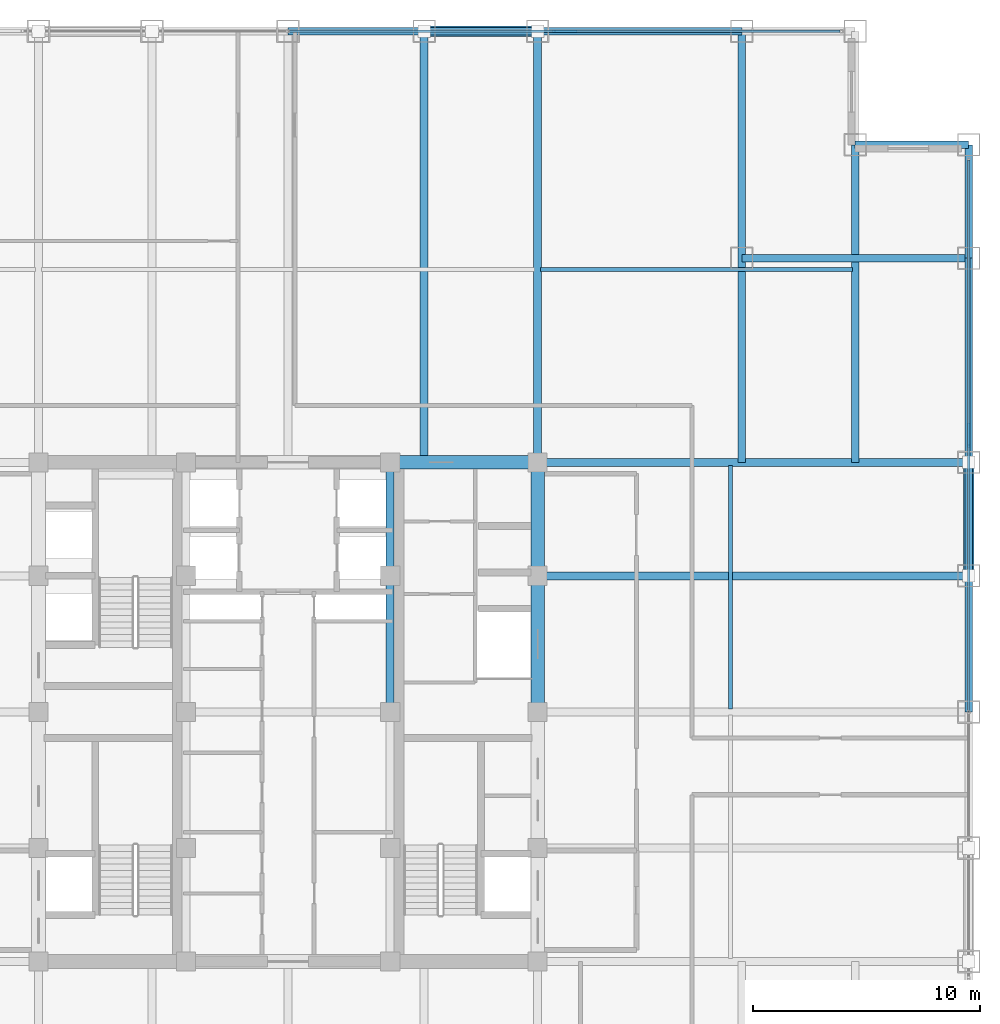
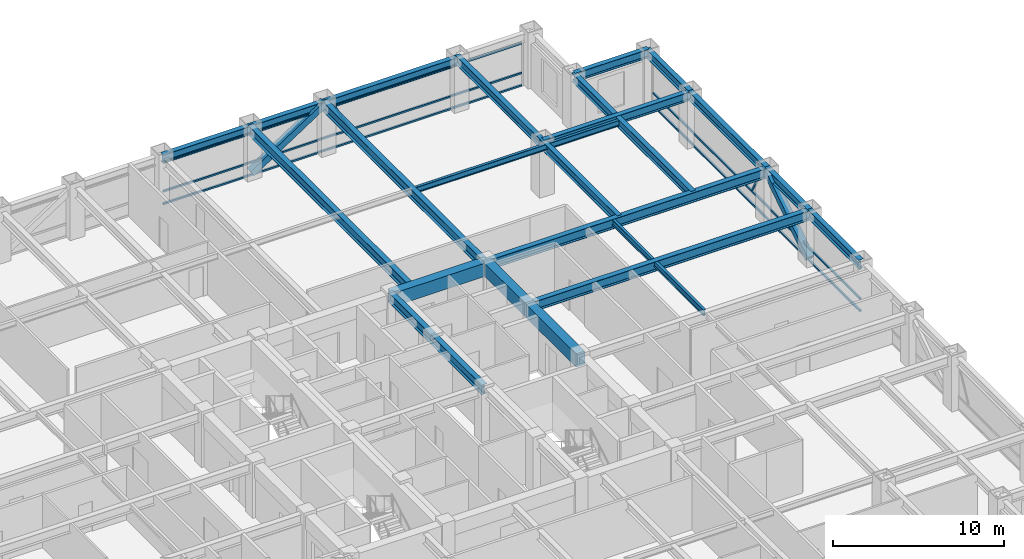
# One storey, part 17 of 24: 22 beams, 10 members, 2 elements without a shape of their own.
"""IFC4 building model written with IfcOpenShell, lengths in metres."""

import ifcopenshell
import ifcopenshell.guid

model = None  # the IFC model being written
_history = None  # IfcOwnerHistory: only IFC2X3 demands one
_inside = {}  # id of a spatial element -> (the spatial element, [elements in it])
_under = {}  # id of a project, library or spatial element -> (it, [spatial elements below it])
_declared = {}  # id of a project -> (the project, [libraries it declares])
_typed = {}  # id of a type object -> (the type object, [elements of that type])
_made_of = {}  # id of a material, layer set ... -> (it, [elements and type objects made of it])


def new_model(schema):
    """Start an empty IFC model of exactly this schema.

    Asked for "IFC4X3", IfcOpenShell would pick the latest addendum, in which some entities
    have other attributes; the version numbers below select the first issue.
    IFC2X3 requires an IfcOwnerHistory on every rooted entity: one is made here for all.
    """
    global model, _history
    if schema == "IFC4X3":
        model = ifcopenshell.file(schema_version=(4, 3, 0, 0))
    else:
        model = ifcopenshell.file(schema=schema)
    _inside.clear()
    _under.clear()
    _declared.clear()
    _typed.clear()
    _made_of.clear()
    _history = None
    if model.schema == "IFC2X3":
        org = make("IfcOrganization", Name="unknown")
        user = make(
            "IfcPersonAndOrganization",
            ThePerson=make("IfcPerson", FamilyName="unknown"),
            TheOrganization=org,
        )
        app = make(
            "IfcApplication",
            ApplicationDeveloper=org,
            Version="unknown",
            ApplicationFullName="unknown",
            ApplicationIdentifier="unknown",
        )
        _history = make(
            "IfcOwnerHistory",
            OwningUser=user,
            OwningApplication=app,
            ChangeAction="ADDED",
            CreationDate=0,
        )
    return model


def make(cls, **values):
    """One entity of the class cls with the attributes given. An attribute that is None is left unset."""
    return model.create_entity(
        cls, **{name: value for name, value in values.items() if value is not None}
    )


def rooted(cls, **values):
    """An entity with a GlobalId (a new one), such as an element, a storey or a relation."""
    return make(cls, GlobalId=ifcopenshell.guid.new(), OwnerHistory=_history, **values)


def si_unit(unit_type, name, prefix=None):
    """IfcSIUnit, for example si_unit("LENGTHUNIT", "METRE", prefix="MILLI")."""
    return make("IfcSIUnit", UnitType=unit_type, Prefix=prefix, Name=name)


def assignment(units):
    """IfcUnitAssignment: the units of a project."""
    return None if units is None else make("IfcUnitAssignment", Units=units)


def point(xyz):
    """IfcCartesianPoint."""
    return None if xyz is None else make("IfcCartesianPoint", Coordinates=xyz)


def direction(xyz):
    """IfcDirection."""
    return None if xyz is None else make("IfcDirection", DirectionRatios=xyz)


def frame(location, z_axis=None, x_axis=None):
    """IfcAxis2Placement3D, a coordinate frame: its origin and axes. An axis left out is left unset."""
    return make(
        "IfcAxis2Placement3D",
        Location=point(location),
        Axis=direction(z_axis),
        RefDirection=direction(x_axis),
    )


def frame_2d(location, x_axis=None):
    """IfcAxis2Placement2D, a coordinate frame in the plane: its origin and x axis."""
    return make(
        "IfcAxis2Placement2D", Location=point(location), RefDirection=direction(x_axis)
    )


def origin():
    """The frame at (0, 0, 0) with its axes left unset."""
    return frame((0.0, 0.0, 0.0))


def origin_2d():
    """The frame at (0, 0) in the plane with its x axis left unset."""
    return frame_2d((0.0, 0.0))


def place(relative_to, where):
    """IfcLocalPlacement: puts the frame where relative to a parent placement (None: the world)."""
    return make(
        "IfcLocalPlacement", PlacementRelTo=relative_to, RelativePlacement=where
    )


def context(
    kind, dimensions, precision=None, world=None, true_north=None, identifier=None
):
    """IfcGeometricRepresentationContext, for example the 3D "Model" context."""
    return make(
        "IfcGeometricRepresentationContext",
        ContextIdentifier=identifier,
        ContextType=kind,
        CoordinateSpaceDimension=dimensions,
        Precision=precision,
        WorldCoordinateSystem=world,
        TrueNorth=true_north,
    )


def subcontext(parent, identifier, kind, view, scale=None):
    """IfcGeometricRepresentationSubContext, for example "Body" below "Model"."""
    return make(
        "IfcGeometricRepresentationSubContext",
        ContextIdentifier=identifier,
        ContextType=kind,
        ParentContext=parent,
        TargetScale=scale,
        TargetView=view,
    )


def project(units=None, contexts=None):
    """IfcProject with its units and contexts."""
    return rooted(
        "IfcProject",
        Name="project",
        RepresentationContexts=contexts,
        UnitsInContext=assignment(units),
    )


def spatial(cls, under=None, at=None, **own):
    """A site, building, storey or space (cls), placed at a placement, below another one or the project."""
    s = rooted(cls, ObjectPlacement=at, **own)
    if under is not None:
        _under.setdefault(under.id(), (under, []))[1].append(s)
    return s


def profile(cls, at=None, kind="AREA", **sizes):
    """A parametric profile (cls). Its sizes go by their IFC names, for example OverallWidth=200.0."""
    return make(cls, ProfileType=kind, Position=at, **sizes)


def rectangle(**sizes):
    """IfcRectangleProfileDef."""
    return profile("IfcRectangleProfileDef", **sizes)


def hollow_rectangle(**sizes):
    """IfcRectangleHollowProfileDef."""
    return profile("IfcRectangleHollowProfileDef", **sizes)


def i_section(**sizes):
    """IfcIShapeProfileDef."""
    return profile("IfcIShapeProfileDef", **sizes)


def extrude(swept, where, along, depth):
    """IfcExtrudedAreaSolid: the profile swept, set in the frame where, extruded along a direction by depth."""
    return make(
        "IfcExtrudedAreaSolid",
        SweptArea=swept,
        Position=where,
        ExtrudedDirection=direction(along),
        Depth=depth,
    )


def shape(context_of_items, identifier, shape_type, items):
    """IfcShapeRepresentation: the items that make up one representation, for example the "Body"."""
    return make(
        "IfcShapeRepresentation",
        ContextOfItems=context_of_items,
        RepresentationIdentifier=identifier,
        RepresentationType=shape_type,
        Items=items,
    )


def source(mapping_origin, context_of_items, identifier, shape_type, items):
    """IfcRepresentationMap: a shape defined once, which mapped items show again and again."""
    return make(
        "IfcRepresentationMap",
        MappingOrigin=mapping_origin,
        MappedRepresentation=shape(context_of_items, identifier, shape_type, items),
    )


def transform(
    local_origin,
    x_axis=None,
    y_axis=None,
    z_axis=None,
    scale=None,
    scale2=None,
    scale3=None,
    uniform=True,
):
    """IfcCartesianTransformationOperator3D, or its non-uniform kind. x_axis, y_axis, z_axis: its Axis1, 2, 3."""
    if uniform:
        return make(
            "IfcCartesianTransformationOperator3D",
            Axis1=direction(x_axis),
            Axis2=direction(y_axis),
            LocalOrigin=point(local_origin),
            Scale=scale,
            Axis3=direction(z_axis),
        )
    return make(
        "IfcCartesianTransformationOperator3DnonUniform",
        Axis1=direction(x_axis),
        Axis2=direction(y_axis),
        LocalOrigin=point(local_origin),
        Scale=scale,
        Axis3=direction(z_axis),
        Scale2=scale2,
        Scale3=scale3,
    )


def mapped(mapping_source, mapping_target):
    """IfcMappedItem: shows the shape of a source again, moved by a transform."""
    return make(
        "IfcMappedItem", MappingSource=mapping_source, MappingTarget=mapping_target
    )


def material(Name=None, Category=None):
    """IfcMaterial."""
    return make("IfcMaterial", Name=Name, Category=Category)


def material_profile(
    of_material, cross_section, Name=None, Category=None, Priority=None
):
    """IfcMaterialProfile: a cross section and its material."""
    return make(
        "IfcMaterialProfile",
        Name=Name,
        Material=of_material,
        Profile=cross_section,
        Priority=Priority,
        Category=Category,
    )


def profile_set(profiles, Name=None, composite=None):
    """IfcMaterialProfileSet."""
    return make(
        "IfcMaterialProfileSet",
        Name=Name,
        MaterialProfiles=profiles,
        CompositeProfile=composite,
    )


def made_of(thing, what):
    """Note that an element or type object is made of a material, layer set ...; save() writes the relation."""
    if what is not None:
        _made_of.setdefault(what.id(), (what, []))[1].append(thing)
    return thing


def type_object(cls, material=None, **own):
    """A type object (cls), such as IfcWallType, which elements share."""
    return made_of(rooted(cls, **own), material)


def element(
    cls,
    number,
    at=None,
    inside=None,
    cuts=None,
    type_object=None,
    material=None,
    context=None,
    identifier="Body",
    shape_type=None,
    held_by="IfcProductDefinitionShape",
    body=None,
    shapes=None,
    **own,
):
    """One element of the class cls, such as IfcWall. Its Tag is "e" and its number.

    at: its placement. inside: the storey or other place that contains it. cuts: it is an
    opening in that element (IfcRelVoidsElement). A single representation is given by context,
    identifier, shape_type and body (its items); several are given by shapes. held_by: the class
    of the entity that holds the representations. save() writes the other relations.
    """
    e = rooted(cls, Tag="e%d" % number, ObjectPlacement=at, **own)
    if body is not None:
        shapes = [shape(context, identifier, shape_type, body)]
    if shapes is not None:
        e.Representation = make(held_by, Representations=shapes)
    if inside is not None:
        _inside.setdefault(inside.id(), (inside, []))[1].append(e)
    if cuts is not None:
        rooted(
            "IfcRelVoidsElement", RelatingBuildingElement=cuts, RelatedOpeningElement=e
        )
    if type_object is not None:
        _typed.setdefault(type_object.id(), (type_object, []))[1].append(e)
    return made_of(e, material)


def aggregate(whole, parts):
    """IfcRelAggregates: a whole, such as a stair, and the parts it consists of."""
    return rooted("IfcRelAggregates", RelatingObject=whole, RelatedObjects=parts)


def save(model, path):
    """Write the relations noted so far, then the file.

    IfcRelAggregates (storeys below a building ...), IfcRelContainedInSpatialStructure (elements
    in a storey), IfcRelDefinesByType, IfcRelAssociatesMaterial and IfcRelDeclares: one each for
    every whole, place, type object, material and project.
    """
    for whole, parts in _under.values():
        aggregate(whole, parts)
    for where, things in _inside.values():
        rooted(
            "IfcRelContainedInSpatialStructure",
            RelatedElements=things,
            RelatingStructure=where,
        )
    for kind, things in _typed.values():
        rooted("IfcRelDefinesByType", RelatedObjects=things, RelatingType=kind)
    for what, things in _made_of.values():
        rooted("IfcRelAssociatesMaterial", RelatedObjects=things, RelatingMaterial=what)
    for by, libraries in _declared.values():
        rooted("IfcRelDeclares", RelatingContext=by, RelatedDefinitions=libraries)
    model.write(path)


model = new_model("IFC4")

# Units and contexts
model_context = context("Model", 3, precision=1e-05, world=origin(), true_north=direction((0.0, 1.0)))
body_context = subcontext(model_context, "Body", "Model", "MODEL_VIEW")
ifc_project = project(units=[si_unit("LENGTHUNIT", "METRE"), si_unit("AREAUNIT", "SQUARE_METRE"), si_unit("VOLUMEUNIT", "CUBIC_METRE"), si_unit("PLANEANGLEUNIT", "RADIAN"), si_unit("MASSUNIT", "GRAM", prefix="KILO")], contexts=[model_context])

# Site, building, storey
site_placement = place(None, origin())
site = spatial("IfcSite", under=ifc_project, at=site_placement, CompositionType="ELEMENT")
building_placement = place(site_placement, origin())
building = spatial("IfcBuilding", under=site, at=building_placement, Name="Khorayat Bourse Tower", CompositionType="ELEMENT")
storey_placement = place(building_placement, frame((0.0, 0.0, 259.10009765625)))
storey = spatial("IfcBuildingStorey", under=building, at=storey_placement, Name="L61", CompositionType="ELEMENT", Elevation=259.10009765625)

# Beams
ifc_material_1 = material(Name="Steel ASTM A992 Grade 50", Category="steel")
ifc_material_profile_1 = material_profile(ifc_material_1, i_section(OverallWidth=0.35498046875, OverallDepth=0.695068359375, WebThickness=0.015380859375, FlangeThickness=0.02490234375, FilletRadius=0.01806640625, at=origin_2d()), Name="W690X217")
ifc_profile_set_1 = profile_set([ifc_material_profile_1], Name="Steel ASTM A992 Grade 50")
beam_type_1 = type_object("IfcBeamType", Name="BM-GIRD-690", PredefinedType="BEAM", material=ifc_profile_set_1)
shared_shape_1 = source(origin(), body_context, "Body", "SweptSolid", [
    extrude(i_section(OverallWidth=0.35498046875, OverallDepth=0.695068359375, WebThickness=0.015380859375, FlangeThickness=0.02490234375, FilletRadius=0.01806640625, at=origin_2d()), origin(), (0.0, 0.0, 1.0), 5.0),
])
beam_1_placement = place(storey_placement, frame((4.5, 6.0, 3.432373046875), z_axis=(0.0, 1.0, 0.0), x_axis=(-1.0, 0.0, 0.0)))
element("IfcBeam", 1, at=beam_1_placement, inside=storey, type_object=beam_type_1, Name="L61 BM-GIRD-690 BM-L61-CRX-12", PredefinedType="BEAM", context=body_context, shape_type="MappedRepresentation", body=[
    mapped(shared_shape_1, transform((0.0, 0.0, 0.0), scale=1.0)),
])
shared_shape_2 = source(origin(), body_context, "Body", "SweptSolid", [
    extrude(i_section(OverallWidth=0.35498046875, OverallDepth=0.695068359375, WebThickness=0.015380859375, FlangeThickness=0.02490234375, FilletRadius=0.01806640625, at=origin_2d()), origin(), (0.0, 0.0, 1.0), 6.0),
])
beam_2_placement = place(storey_placement, frame((4.5, 0.0, 3.432373046875), z_axis=(0.0, 1.0, 0.0), x_axis=(-1.0, 0.0, 0.0)))
element("IfcBeam", 2, at=beam_2_placement, inside=storey, type_object=beam_type_1, Name="L61 BM-GIRD-690 BM-L61-CRX-11", PredefinedType="BEAM", context=body_context, shape_type="MappedRepresentation", body=[
    mapped(shared_shape_2, transform((0.0, 0.0, 0.0), scale=1.0)),
])
ifc_material_profile_2 = material_profile(ifc_material_1, i_section(OverallWidth=0.324951171875, OverallDepth=0.615966796875, WebThickness=0.013916015625, FlangeThickness=0.021484375, FilletRadius=0.01611328125, at=origin_2d()), Name="W610X174")
ifc_profile_set_2 = profile_set([ifc_material_profile_2], Name="Steel ASTM A992 Grade 50")
beam_type_2 = type_object("IfcBeamType", Name="BM-GIRD-610", PredefinedType="BEAM", material=ifc_profile_set_2)
shared_shape_3 = source(origin(), body_context, "Body", "SweptSolid", [
    extrude(i_section(OverallWidth=0.324951171875, OverallDepth=0.615966796875, WebThickness=0.013916015625, FlangeThickness=0.021484375, FilletRadius=0.01611328125, at=origin_2d()), origin(), (0.0, 0.0, 1.0), 19.0),
])
beam_3_placement = place(storey_placement, frame((20.0, 11.0, 3.471923828125), z_axis=(0.0, 1.0, 0.0), x_axis=(-1.0, 0.0, 0.0)))
element("IfcBeam", 3, at=beam_3_placement, inside=storey, type_object=beam_type_2, Name="L61 BM-GIRD-610 BM-L61-CNRY-087", PredefinedType="BEAM", context=body_context, shape_type="MappedRepresentation", body=[
    mapped(shared_shape_3, transform((0.0, 0.0, 0.0), scale=1.0)),
])
shared_shape_4 = source(origin(), body_context, "Body", "SweptSolid", [
    extrude(i_section(OverallWidth=0.324951171875, OverallDepth=0.615966796875, WebThickness=0.013916015625, FlangeThickness=0.021484375, FilletRadius=0.01611328125, at=origin_2d()), origin(), (0.0, 0.0, 1.0), 10.0),
])
beam_4_placement = place(storey_placement, frame((20.0, 20.0, 3.471923828125), z_axis=(1.0, 0.0, 0.0), x_axis=(0.0, 1.0, 0.0)))
element("IfcBeam", 4, at=beam_4_placement, inside=storey, type_object=beam_type_2, Name="L61 BM-GIRD-610 BM-L61-CNRX-094", PredefinedType="BEAM", context=body_context, shape_type="MappedRepresentation", body=[
    mapped(shared_shape_4, transform((0.0, 0.0, 0.0), scale=1.0)),
])
ifc_material_profile_3 = material_profile(ifc_material_1, i_section(OverallWidth=0.180908203125, OverallDepth=0.4169921875, WebThickness=0.010986328125, FlangeThickness=0.018310546875, FilletRadius=0.011962890625, at=origin_2d()), Name="W410X85")
ifc_profile_set_3 = profile_set([ifc_material_profile_3], Name="Steel ASTM A992 Grade 50")
beam_type_3 = type_object("IfcBeamType", Name="BM-JOIST-410", PredefinedType="JOIST", material=ifc_profile_set_3)
shared_shape_5 = source(origin(), body_context, "Body", "SweptSolid", [
    extrude(i_section(OverallWidth=0.180908203125, OverallDepth=0.4169921875, WebThickness=0.010986328125, FlangeThickness=0.018310546875, FilletRadius=0.011962890625, at=origin_2d()), origin(), (0.0, 0.0, 1.0), 10.740234375),
])
beam_5_placement = place(storey_placement, frame((19.5, 0.1298828125, 3.5712890625), z_axis=(0.0, 1.0, 0.0), x_axis=(-1.0, 0.0, 0.0)))
element("IfcBeam", 5, at=beam_5_placement, inside=storey, type_object=beam_type_3, Name="L61 BM-JOIST-410 BM-L61-JSTY-105", PredefinedType="JOIST", context=body_context, shape_type="MappedRepresentation", body=[
    mapped(shared_shape_5, transform((0.0, 0.0, 0.0), scale=1.0)),
])
ifc_material_profile_4 = material_profile(ifc_material_1, i_section(OverallWidth=0.324951171875, OverallDepth=0.615966796875, WebThickness=0.013916015625, FlangeThickness=0.021484375, FilletRadius=0.01611328125, at=origin_2d()), Name="W610X174")
ifc_profile_set_4 = profile_set([ifc_material_profile_4], Name="Steel ASTM A992 Grade 50")
beam_type_4 = type_object("IfcBeamType", Name="BM-SPAN-610", PredefinedType="SPANDREL", material=ifc_profile_set_4)
shared_shape_6 = source(origin(), body_context, "Body", "SweptSolid", [
    extrude(i_section(OverallWidth=0.324951171875, OverallDepth=0.615966796875, WebThickness=0.013916015625, FlangeThickness=0.021484375, FilletRadius=0.01611328125, at=origin_2d()), origin(), (0.0, 0.0, 1.0), 9.0),
])
for number, where, z_axis, x_axis, name in (
    (6, (30.0, 11.0, 3.471923828125), (0.0, 1.0, 0.0), (-1.0, 0.0, 0.0), "L61 BM-SPAN-610 BM-L61-SPN-040"),
    (7, (11.0, 30.0, 3.351806640625), (1.0, 0.0, 0.0), (0.0, 1.0, 0.0), "L61 BM-SPAN-610 BM-L61-SPN-045"),
):
    element("IfcBeam", number, at=place(storey_placement, frame(where, z_axis=z_axis, x_axis=x_axis)), inside=storey, type_object=beam_type_4, Name=name, PredefinedType="SPANDREL", context=body_context, shape_type="MappedRepresentation", body=[
        mapped(shared_shape_6, transform((0.0, 0.0, 0.0), scale=1.0)),
    ])
shared_shape_7 = source(origin(), body_context, "Body", "SweptSolid", [
    extrude(i_section(OverallWidth=0.324951171875, OverallDepth=0.615966796875, WebThickness=0.013916015625, FlangeThickness=0.021484375, FilletRadius=0.01611328125, at=origin_2d()), origin(), (0.0, 0.0, 1.0), 5.0),
])
for number, where, z_axis, x_axis, name in (
    (8, (30.0, 6.0, 3.471923828125), (0.0, 1.0, 0.0), (-1.0, 0.0, 0.0), "L61 BM-SPAN-610 BM-L61-SPN-039"),
    (9, (30.0, 20.0, 3.471923828125), (0.0, 1.0, 0.0), (-1.0, 0.0, 0.0), "L61 BM-SPAN-610 BM-L61-SPN-041"),
    (10, (25.0, 25.0, 3.471923828125), (1.0, 0.0, 0.0), (0.0, 1.0, 0.0), "L61 BM-SPAN-610 BM-L61-SPN-042"),
    (11, (6.0, 30.0, 3.351806640625), (1.0, 0.0, 0.0), (0.0, 1.0, 0.0), "L61 BM-SPAN-610 BM-L61-SPN-046"),
):
    element("IfcBeam", number, at=place(storey_placement, frame(where, z_axis=z_axis, x_axis=x_axis)), inside=storey, type_object=beam_type_4, Name=name, PredefinedType="SPANDREL", context=body_context, shape_type="MappedRepresentation", body=[
        mapped(shared_shape_7, transform((0.0, 0.0, 0.0), scale=1.0)),
    ])
shared_shape_8 = source(origin(), body_context, "Body", "SweptSolid", [
    extrude(i_section(OverallWidth=0.324951171875, OverallDepth=0.615966796875, WebThickness=0.013916015625, FlangeThickness=0.021484375, FilletRadius=0.01611328125, at=origin_2d()), origin(), (0.0, 0.0, 1.0), 6.0),
])
for number, where, z_axis, x_axis, name in (
    (12, (30.0, 0.0, 3.471923828125), (0.0, 1.0, 0.0), (-1.0, 0.0, 0.0), "L61 BM-SPAN-610 BM-L61-SPN-038"),
    (13, (0.0, 30.0, 3.351806640625), (1.0, 0.0, 0.0), (0.0, 1.0, 0.0), "L61 BM-SPAN-610 BM-L61-SPN-047"),
):
    element("IfcBeam", number, at=place(storey_placement, frame(where, z_axis=z_axis, x_axis=x_axis)), inside=storey, type_object=beam_type_4, Name=name, PredefinedType="SPANDREL", context=body_context, shape_type="MappedRepresentation", body=[
        mapped(shared_shape_8, transform((0.0, 0.0, 0.0), scale=1.0)),
    ])
ifc_material_2 = material(Name="Concrete C60/75", Category="concrete")
ifc_material_profile_5 = material_profile(ifc_material_2, rectangle(XDim=0.60009765625, YDim=0.949951171875, at=origin_2d()), Name="RC 600x950")
ifc_profile_set_5 = profile_set([ifc_material_profile_5], Name="Concrete C60/75")
beam_type_5 = type_object("IfcBeamType", Name="BM-COUP-950", PredefinedType="BEAM", material=ifc_profile_set_5)
shared_shape_9 = source(origin(), body_context, "Body", "SweptSolid", [
    extrude(rectangle(XDim=0.60009765625, YDim=0.949951171875, at=origin_2d()), origin(), (0.0, 0.0, 1.0), 5.0),
])
beam_6_placement = place(storey_placement, frame((11.0, 6.0, 3.304931640625), z_axis=(0.0, 1.0, 0.0), x_axis=(-1.0, 0.0, 0.0)))
element("IfcBeam", 14, at=beam_6_placement, inside=storey, type_object=beam_type_5, Name="L61 BM-COUP-950 BM-L61-CRX-16", PredefinedType="BEAM", context=body_context, shape_type="MappedRepresentation", body=[
    mapped(shared_shape_9, transform((0.0, 0.0, 0.0), scale=1.0)),
])
shared_shape_10 = source(origin(), body_context, "Body", "SweptSolid", [
    extrude(rectangle(XDim=0.60009765625, YDim=0.949951171875, at=origin_2d()), origin(), (0.0, 0.0, 1.0), 6.0),
])
beam_7_placement = place(storey_placement, frame((11.0, 0.0, 3.304931640625), z_axis=(0.0, 1.0, 0.0), x_axis=(-1.0, 0.0, 0.0)))
element("IfcBeam", 15, at=beam_7_placement, inside=storey, type_object=beam_type_5, Name="L61 BM-COUP-950 BM-L61-CRX-15", PredefinedType="BEAM", context=body_context, shape_type="MappedRepresentation", body=[
    mapped(shared_shape_10, transform((0.0, 0.0, 0.0), scale=1.0)),
])
shared_shape_11 = source(origin(), body_context, "Body", "SweptSolid", [
    extrude(rectangle(XDim=0.60009765625, YDim=0.949951171875, at=origin_2d()), origin(), (0.0, 0.0, 1.0), 6.5),
])
beam_8_placement = place(storey_placement, frame((4.5, 11.0, 3.304931640625), z_axis=(1.0, 0.0, 0.0), x_axis=(0.0, 1.0, 0.0)))
element("IfcBeam", 16, at=beam_8_placement, inside=storey, type_object=beam_type_5, Name="L61 BM-COUP-950 BM-L61-CRY-22", PredefinedType="BEAM", context=body_context, shape_type="MappedRepresentation", body=[
    mapped(shared_shape_11, transform((0.0, 0.0, 0.0), scale=1.0)),
])
shared_shape_12 = source(origin(), body_context, "Body", "SweptSolid", [
    extrude(i_section(OverallWidth=0.35498046875, OverallDepth=0.695068359375, WebThickness=0.015380859375, FlangeThickness=0.02490234375, FilletRadius=0.01806640625, at=origin_2d()), origin(), (0.0, 0.0, 1.0), 19.0),
])
for number, where, z_axis, x_axis, name in (
    (17, (6.0, 11.0, 3.3125), (0.0, 1.0, 0.0), (-1.0, 0.0, 0.0), "L61 BM-GIRD-690 BM-L61-RADY-070"),
    (18, (11.0, 11.0, 3.3125), (0.0, 1.0, 0.0), (-1.0, 0.0, 0.0), "L61 BM-GIRD-690 BM-L61-RADY-072"),
    (19, (11.0, 6.0, 3.432373046875), (1.0, 0.0, 0.0), (0.0, 1.0, 0.0), "L61 BM-GIRD-690 BM-L61-RADX-080"),
    (20, (11.0, 11.0, 3.432373046875), (1.0, 0.0, 0.0), (0.0, 1.0, 0.0), "L61 BM-GIRD-690 BM-L61-RADX-082"),
):
    element("IfcBeam", number, at=place(storey_placement, frame(where, z_axis=z_axis, x_axis=x_axis)), inside=storey, type_object=beam_type_1, Name=name, PredefinedType="BEAM", context=body_context, shape_type="MappedRepresentation", body=[
        mapped(shared_shape_12, transform((0.0, 0.0, 0.0), scale=1.0)),
    ])
shared_shape_13 = source(origin(), body_context, "Body", "SweptSolid", [
    extrude(i_section(OverallWidth=0.324951171875, OverallDepth=0.615966796875, WebThickness=0.013916015625, FlangeThickness=0.021484375, FilletRadius=0.01611328125, at=origin_2d()), origin(), (0.0, 0.0, 1.0), 14.0),
])
beam_9_placement = place(storey_placement, frame((25.0, 11.0, 3.471923828125), z_axis=(0.0, 1.0, 0.0), x_axis=(-1.0, 0.0, 0.0)))
element("IfcBeam", 21, at=beam_9_placement, inside=storey, type_object=beam_type_2, Name="L61 BM-GIRD-610 BM-L61-CNRY-091", PredefinedType="BEAM", context=body_context, shape_type="MappedRepresentation", body=[
    mapped(shared_shape_13, transform((0.0, 0.0, 0.0), scale=1.0)),
])
shared_shape_14 = source(origin(), body_context, "Body", "SweptSolid", [
    extrude(i_section(OverallWidth=0.180908203125, OverallDepth=0.4169921875, WebThickness=0.010986328125, FlangeThickness=0.018310546875, FilletRadius=0.011962890625, at=origin_2d()), origin(), (0.0, 0.0, 1.0), 13.740234375),
])
beam_10_placement = place(storey_placement, frame((11.1298828125, 19.5, 3.5712890625), z_axis=(1.0, 0.0, 0.0), x_axis=(0.0, 1.0, 0.0)))
element("IfcBeam", 22, at=beam_10_placement, inside=storey, type_object=beam_type_3, Name="L61 BM-JOIST-410 BM-L61-JSTX-101", PredefinedType="JOIST", context=body_context, shape_type="MappedRepresentation", body=[
    mapped(shared_shape_14, transform((0.0, 0.0, 0.0), scale=1.0)),
])

# Members
ifc_material_3 = material(Name="Steel EN 10025-4 S460M", Category="steel")
ifc_material_profile_6 = material_profile(ifc_material_3, hollow_rectangle(XDim=0.449951171875, YDim=0.449951171875, WallThickness=0.02490234375, at=origin_2d()), Name="HSS 450x450x25")
ifc_profile_set_6 = profile_set([ifc_material_profile_6], Name="Steel EN 10025-4 S460M")
member_type_1 = type_object("IfcMemberType", Name="MBR-TUBE-450", PredefinedType="BRACE", material=ifc_profile_set_6)
shared_shape_15 = source(origin(), body_context, "Body", "SweptSolid", [
    extrude(hollow_rectangle(XDim=0.449951171875, YDim=0.449951171875, WallThickness=0.02490234375, at=origin_2d()), origin(), (0.0, 0.0, 1.0), 5.979736328125),
])
for number, where, z_axis, x_axis, name in (
    (23, (6.0, 30.0, 0.25), (0.836160261256, 0.0, 0.548485202623), (0.0, 1.0, 0.0), "L61 Perimeter Tube Brace 04"),
    (24, (30.0, 6.0, 0.25), (0.0, 0.836160261256, 0.548485202623), (-1.0, 0.0, 0.0), "L61 Perimeter Tube Brace 08"),
):
    element("IfcMember", number, at=place(storey_placement, frame(where, z_axis=z_axis, x_axis=x_axis)), inside=storey, type_object=member_type_1, Name=name, PredefinedType="BRACE", context=body_context, shape_type="MappedRepresentation", body=[
        mapped(shared_shape_15, transform((0.0, 0.0, 0.0), scale=1.0)),
    ])

# Curtain wall, member
ifc_material_4 = material(Name="Aluminium EN AW-6063 T6", Category="aluminium")
curtain_wall_type = type_object("IfcCurtainWallType", Name="CW-SYS-03", PredefinedType="NOTDEFINED", material=ifc_material_4)
curtain_wall_1_placement = place(storey_placement, origin())
curtain_wall_1 = element("IfcCurtainWall", 25, at=curtain_wall_1_placement, inside=storey, type_object=curtain_wall_type, Name="L61 Curtain Wall CW-L61-N1", PredefinedType="NOTDEFINED")
ifc_material_profile_7 = material_profile(ifc_material_4, hollow_rectangle(XDim=0.1201171875, YDim=0.1201171875, WallThickness=0.0048828125, at=origin_2d()), Name="ALU 120x120x5")
ifc_profile_set_7 = profile_set([ifc_material_profile_7], Name="Aluminium EN AW-6063 T6")
member_type_2 = type_object("IfcMemberType", Name="CWM-DIAG-120", PredefinedType="MULLION", material=ifc_profile_set_7)
shared_shape_16 = source(origin(), body_context, "Body", "SweptSolid", [
    extrude(hollow_rectangle(XDim=0.1201171875, YDim=0.1201171875, WallThickness=0.0048828125, at=origin_2d()), origin(), (0.0, 0.0, 1.0), 2.079345703125),
])
member_1_placement = place(storey_placement, frame((12.67919921875, 30.0, 1.08984375), z_axis=(-0.465760949701, 0.0, 0.884910581773), x_axis=(0.0, -1.0, 0.0)))
member_1 = element("IfcMember", 26, at=member_1_placement, type_object=member_type_2, Name="CW-L61-N1 Faceted Diagonal Mullion 2", PredefinedType="MULLION", context=body_context, shape_type="MappedRepresentation", body=[
    mapped(shared_shape_16, transform((0.0, 0.0, 0.0), scale=1.0)),
])

curtain_wall_2_placement = place(storey_placement, origin())
curtain_wall_2 = element("IfcCurtainWall", 27, at=curtain_wall_2_placement, inside=storey, type_object=curtain_wall_type, Name="L61 Curtain Wall CW-L61-E1", PredefinedType="NOTDEFINED")
member_2_placement = place(storey_placement, frame((30.0, 12.67919921875, 1.08984375), z_axis=(0.0, -0.465760949701, 0.884910581773), x_axis=(1.0, 0.0, 0.0)))
member_2 = element("IfcMember", 28, at=member_2_placement, type_object=member_type_2, Name="CW-L61-E1 Faceted Diagonal Mullion 2", PredefinedType="MULLION", context=body_context, shape_type="MappedRepresentation", body=[
    mapped(shared_shape_16, transform((0.0, 0.0, 0.0), scale=1.0)),
])

# Member
ifc_material_profile_8 = material_profile(ifc_material_4, hollow_rectangle(XDim=0.1201171875, YDim=0.1201171875, WallThickness=0.0048828125, at=origin_2d()), Name="ALU 120x120x5")
ifc_profile_set_8 = profile_set([ifc_material_profile_8], Name="Aluminium EN AW-6063 T6")
member_type_3 = type_object("IfcMemberType", Name="CWT-HORZ-120", PredefinedType="USERDEFINED", material=ifc_profile_set_8)
shared_shape_17 = source(origin(), body_context, "Body", "SweptSolid", [
    extrude(hollow_rectangle(XDim=0.1201171875, YDim=0.1201171875, WallThickness=0.0048828125, at=origin_2d()), origin(), (0.0, 0.0, 1.0), 24.27001953125),
])
member_3_placement = place(storey_placement, frame((0.06005859375, 30.0, 0.059814453125), z_axis=(1.0, 0.0, 0.0), x_axis=(0.0, 1.0, 0.0)))
member_3 = element("IfcMember", 29, at=member_3_placement, type_object=member_type_3, Name="CW-L61-N1 Horizontal Transom 2-1", ObjectType="TRANSOM", PredefinedType="USERDEFINED", context=body_context, shape_type="MappedRepresentation", body=[
    mapped(shared_shape_17, transform((0.0, 0.0, 0.0), scale=1.0)),
])

member_4_placement = place(storey_placement, frame((0.06005859375, 30.0, 0.949951171875), z_axis=(1.0, 0.0, 0.0), x_axis=(0.0, 1.0, 0.0)))
member_4 = element("IfcMember", 30, at=member_4_placement, type_object=member_type_3, Name="CW-L61-N1 Horizontal Transom 2-2", ObjectType="TRANSOM", PredefinedType="USERDEFINED", context=body_context, shape_type="MappedRepresentation", body=[
    mapped(shared_shape_17, transform((0.0, 0.0, 0.0), scale=1.0)),
])

member_5_placement = place(storey_placement, frame((0.06005859375, 30.0, 3.06982421875), z_axis=(1.0, 0.0, 0.0), x_axis=(0.0, 1.0, 0.0)))
member_5 = element("IfcMember", 31, at=member_5_placement, type_object=member_type_3, Name="CW-L61-N1 Horizontal Transom 2-3", ObjectType="TRANSOM", PredefinedType="USERDEFINED", context=body_context, shape_type="MappedRepresentation", body=[
    mapped(shared_shape_17, transform((0.0, 0.0, 0.0), scale=1.0)),
])

aggregate(curtain_wall_1, [member_3, member_4, member_5, member_1])

member_6_placement = place(storey_placement, frame((30.0, 0.06005859375, 0.059814453125), z_axis=(0.0, 1.0, 0.0), x_axis=(-1.0, 0.0, 0.0)))
member_6 = element("IfcMember", 32, at=member_6_placement, type_object=member_type_3, Name="CW-L61-E1 Horizontal Transom 2-1", ObjectType="TRANSOM", PredefinedType="USERDEFINED", context=body_context, shape_type="MappedRepresentation", body=[
    mapped(shared_shape_17, transform((0.0, 0.0, 0.0), scale=1.0)),
])

member_7_placement = place(storey_placement, frame((30.0, 0.06005859375, 0.949951171875), z_axis=(0.0, 1.0, 0.0), x_axis=(-1.0, 0.0, 0.0)))
member_7 = element("IfcMember", 33, at=member_7_placement, type_object=member_type_3, Name="CW-L61-E1 Horizontal Transom 2-2", ObjectType="TRANSOM", PredefinedType="USERDEFINED", context=body_context, shape_type="MappedRepresentation", body=[
    mapped(shared_shape_17, transform((0.0, 0.0, 0.0), scale=1.0)),
])

member_8_placement = place(storey_placement, frame((30.0, 0.06005859375, 3.06982421875), z_axis=(0.0, 1.0, 0.0), x_axis=(-1.0, 0.0, 0.0)))
member_8 = element("IfcMember", 34, at=member_8_placement, type_object=member_type_3, Name="CW-L61-E1 Horizontal Transom 2-3", ObjectType="TRANSOM", PredefinedType="USERDEFINED", context=body_context, shape_type="MappedRepresentation", body=[
    mapped(shared_shape_17, transform((0.0, 0.0, 0.0), scale=1.0)),
])

aggregate(curtain_wall_2, [member_6, member_7, member_8, member_2])

save(model, "model.ifc")
